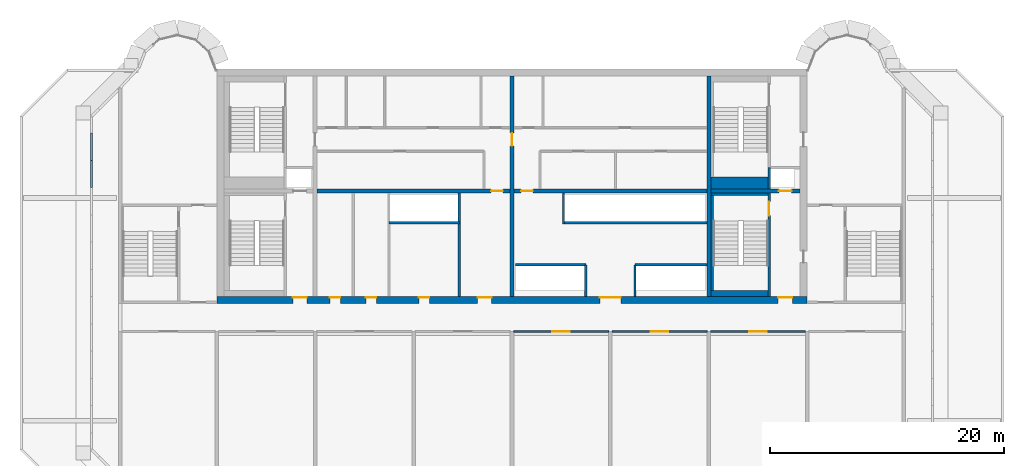
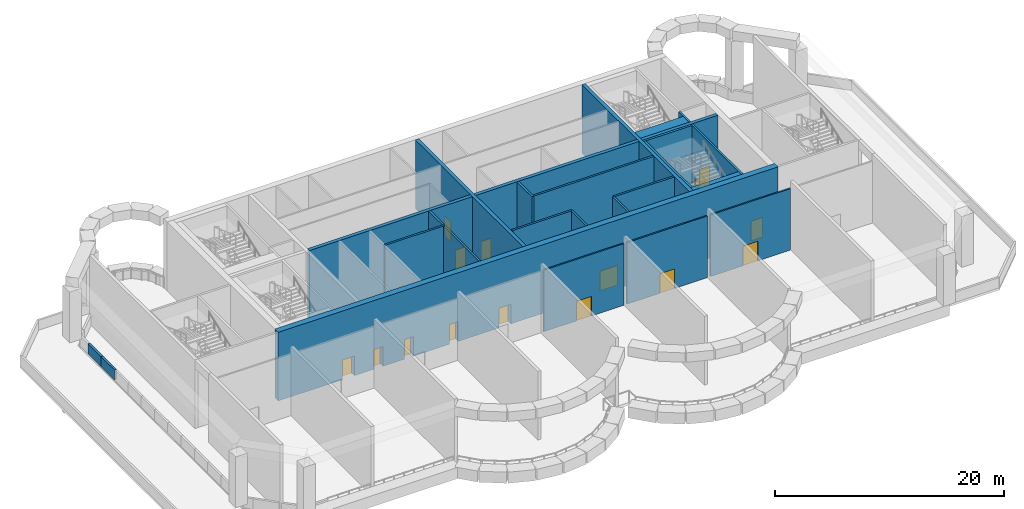
# One storey, part 3 of 11: 25 walls, 15 doors, 15 openings.
"""IFC4 building model written with IfcOpenShell, lengths in metres."""

from ifc_helpers import new_model, si_unit, direction, frame, frame_2d, origin, place, context, subcontext, project, spatial, rectangle, extrude, source, transform, mapped, material, layer, layer_set, type_object, element, fill, save


model = new_model("IFC4")

# Units and contexts
model_context = context("Model", 3, precision=1e-05, world=origin(), true_north=direction((0.0, 1.0)))
body_context = subcontext(model_context, "Body", "Model", "MODEL_VIEW")
ifc_project = project(units=[si_unit("LENGTHUNIT", "METRE"), si_unit("AREAUNIT", "SQUARE_METRE"), si_unit("VOLUMEUNIT", "CUBIC_METRE"), si_unit("PLANEANGLEUNIT", "RADIAN"), si_unit("MASSUNIT", "GRAM", prefix="KILO")], contexts=[model_context])

# Site, building, storey
site_placement = place(None, origin())
site = spatial("IfcSite", under=ifc_project, at=site_placement, CompositionType="ELEMENT")
building_placement = place(site_placement, origin())
building = spatial("IfcBuilding", under=site, at=building_placement, Name="Vanashikhar Sky Hotel", CompositionType="ELEMENT")
storey_placement = place(building_placement, frame((0.0, 0.0, 206.39990234375)))
storey = spatial("IfcBuildingStorey", under=building, at=storey_placement, Name="L50", CompositionType="ELEMENT", Elevation=206.39990234375)

# Wall, openings, doors
ifc_material_1 = material(Name="Concrete M60", Category="concrete")
ifc_layer_1 = layer(ifc_material_1, 0.60009765625)
ifc_layer_set_1 = layer_set([ifc_layer_1], Name="RC core shell wall 600 Concrete M60")
wall_type_1 = type_object("IfcWallType", Name="RC core shell wall 600 Concrete M60", PredefinedType="SHEAR", material=ifc_layer_set_1)
shared_shape_1 = source(origin(), body_context, "Body", "SweptSolid", [
    extrude(rectangle(XDim=50.400146484375, YDim=0.60009765625, at=frame_2d((25.2001953125, 0.0))), origin(), (0.0, 0.0, 1.0), 7.320068359375),
])
wall_1_placement = place(storey_placement, frame((25.199951171875, 22.300048828125, 0.0), z_axis=(0.0, 0.0, 1.0), x_axis=(1.0, 0.0, 0.0)))
wall_1 = element("IfcWall", 1, at=wall_1_placement, inside=storey, type_object=wall_type_1, Name="KW-L50-KS", PredefinedType="SHEAR", context=body_context, shape_type="MappedRepresentation", body=[
    mapped(shared_shape_1, transform((0.0, 0.0, 0.0), scale=1.0)),
])
shared_shape_2 = source(origin(), body_context, "Body", "SweptSolid", [
    extrude(rectangle(XDim=1.199951171875, YDim=2.10009765625, at=frame_2d((0.60009765625, 1.050048828125))), frame((0.0, 0.31005859375, 0.0), z_axis=(0.0, -1.0, 0.0), x_axis=(1.0, 0.0, 0.0)), (0.0, 0.0, 1.0), 0.6201171875),
])
opening_1_placement = place(wall_1_placement, frame((22.261962890625, 0.0, 0.0)))
opening_1 = element("IfcOpeningElement", 2, at=opening_1_placement, cuts=wall_1, Name="Opening DC-4-B", PredefinedType="OPENING", context=body_context, shape_type="MappedRepresentation", body=[
    mapped(shared_shape_2, transform((0.0, 0.0, 0.0), scale=1.0)),
])
shared_shape_3 = source(origin(), body_context, "Body", "SweptSolid", [
    extrude(rectangle(XDim=0.89990234375, YDim=2.10009765625, at=frame_2d((0.449951171875, 1.050048828125))), frame((0.0, 0.31005859375, 0.0), z_axis=(0.0, -1.0, 0.0), x_axis=(1.0, 0.0, 0.0)), (0.0, 0.0, 1.0), 0.6201171875),
])
opening_2_placement = place(wall_1_placement, frame((17.25, 0.0, 0.0)))
opening_2 = element("IfcOpeningElement", 3, at=opening_2_placement, cuts=wall_1, Name="Opening DC-4-A", PredefinedType="OPENING", context=body_context, shape_type="MappedRepresentation", body=[
    mapped(shared_shape_3, transform((0.0, 0.0, 0.0), scale=1.0)),
])
opening_3_placement = place(wall_1_placement, frame((9.656005859375, 0.0, 0.0)))
opening_3 = element("IfcOpeningElement", 4, at=opening_3_placement, cuts=wall_1, Name="Opening DC-4-A", PredefinedType="OPENING", context=body_context, shape_type="MappedRepresentation", body=[
    mapped(shared_shape_3, transform((0.0, 0.0, 0.0), scale=1.0)),
])
opening_4_placement = place(wall_1_placement, frame((12.718994140625, 0.0, 0.0)))
opening_4 = element("IfcOpeningElement", 5, at=opening_4_placement, cuts=wall_1, Name="Opening DC-4-A", PredefinedType="OPENING", context=body_context, shape_type="MappedRepresentation", body=[
    mapped(shared_shape_3, transform((0.0, 0.0, 0.0), scale=1.0)),
])
shared_shape_4 = source(origin(), body_context, "Body", "SweptSolid", [
    extrude(rectangle(XDim=1.800048828125, YDim=2.10009765625, at=frame_2d((0.89990234375, 1.050048828125))), frame((0.0, 0.31005859375, 0.0), z_axis=(0.0, -1.0, 0.0), x_axis=(1.0, 0.0, 0.0)), (0.0, 0.0, 1.0), 0.6201171875),
])
opening_5_placement = place(wall_1_placement, frame((32.699951171875, 0.0, 0.0)))
opening_5 = element("IfcOpeningElement", 6, at=opening_5_placement, cuts=wall_1, Name="Opening DC-3", PredefinedType="OPENING", context=body_context, shape_type="MappedRepresentation", body=[
    mapped(shared_shape_4, transform((0.0, 0.0, 0.0), scale=1.0)),
])
opening_6_placement = place(wall_1_placement, frame((6.488037109375, 0.0, 0.0)))
opening_6 = element("IfcOpeningElement", 7, at=opening_6_placement, cuts=wall_1, Name="Opening DC-2", PredefinedType="OPENING", context=body_context, shape_type="MappedRepresentation", body=[
    mapped(shared_shape_2, transform((0.0, 0.0, 0.0), scale=1.0)),
])
opening_7_placement = place(wall_1_placement, frame((47.925048828125, 0.0, 0.0)))
opening_7 = element("IfcOpeningElement", 8, at=opening_7_placement, cuts=wall_1, Name="Opening DC-2", PredefinedType="OPENING", context=body_context, shape_type="MappedRepresentation", body=[
    mapped(shared_shape_2, transform((0.0, 0.0, 0.0), scale=1.0)),
])
ifc_material_2 = material(Name="Steel", Category="steel")
door_type_1 = type_object("IfcDoorType", Name="Service door 1200 FD60", OperationType="NOTDEFINED", PredefinedType="DOOR", material=ifc_material_2)
shared_shape_5 = source(origin(), body_context, "Body", "SweptSolid", [
    extrude(rectangle(XDim=1.199951171875, YDim=2.10009765625, at=frame_2d((0.60009765625, 1.050048828125))), frame((0.0, 0.22509765625, 0.0), z_axis=(0.0, -1.0, 0.0), x_axis=(1.0, 0.0, 0.0)), (0.0, 0.0, 1.0), 0.050048828125),
])
door_1_placement = place(opening_1_placement, origin())
door_1 = element("IfcDoor", 9, at=door_1_placement, inside=storey, type_object=door_type_1, Name="Service door 1200 FD60", OperationType="SINGLE_SWING_RIGHT", OverallHeight=2.10009765625, OverallWidth=1.199951171875, PredefinedType="DOOR", context=body_context, shape_type="MappedRepresentation", body=[
    mapped(shared_shape_5, transform((0.0, 0.0, 0.0), scale=1.0)),
])
fill(opening_1, door_1)
door_type_2 = type_object("IfcDoorType", Name="Firefighting lobby door 1200 FD120", OperationType="NOTDEFINED", PredefinedType="DOOR", material=ifc_material_2)
door_2_placement = place(opening_6_placement, origin())
door_2 = element("IfcDoor", 10, at=door_2_placement, inside=storey, type_object=door_type_2, Name="Firefighting lobby door 1200 FD120", OperationType="SINGLE_SWING_LEFT", OverallHeight=2.10009765625, OverallWidth=1.199951171875, PredefinedType="DOOR", context=body_context, shape_type="MappedRepresentation", body=[
    mapped(shared_shape_5, transform((0.0, 0.0, 0.0), scale=1.0)),
])
fill(opening_6, door_2)
door_3_placement = place(opening_7_placement, origin())
door_3 = element("IfcDoor", 11, at=door_3_placement, inside=storey, type_object=door_type_2, Name="Firefighting lobby door 1200 FD120", OperationType="SINGLE_SWING_LEFT", OverallHeight=2.10009765625, OverallWidth=1.199951171875, PredefinedType="DOOR", context=body_context, shape_type="MappedRepresentation", body=[
    mapped(shared_shape_5, transform((0.0, 0.0, 0.0), scale=1.0)),
])
fill(opening_7, door_3)
door_type_3 = type_object("IfcDoorType", Name="Service door 900 FD60", OperationType="NOTDEFINED", PredefinedType="DOOR", material=ifc_material_2)
shared_shape_6 = source(origin(), body_context, "Body", "SweptSolid", [
    extrude(rectangle(XDim=0.89990234375, YDim=2.10009765625, at=frame_2d((0.449951171875, 1.050048828125))), frame((0.0, 0.22509765625, 0.0), z_axis=(0.0, -1.0, 0.0), x_axis=(1.0, 0.0, 0.0)), (0.0, 0.0, 1.0), 0.050048828125),
])
door_4_placement = place(opening_2_placement, origin())
door_4 = element("IfcDoor", 12, at=door_4_placement, inside=storey, type_object=door_type_3, Name="Service door 900 FD60", OperationType="SINGLE_SWING_RIGHT", OverallHeight=2.10009765625, OverallWidth=0.89990234375, PredefinedType="DOOR", context=body_context, shape_type="MappedRepresentation", body=[
    mapped(shared_shape_6, transform((0.0, 0.0, 0.0), scale=1.0)),
])
fill(opening_2, door_4)
door_5_placement = place(opening_3_placement, origin())
door_5 = element("IfcDoor", 13, at=door_5_placement, inside=storey, type_object=door_type_3, Name="Service door 900 FD60", OperationType="SINGLE_SWING_LEFT", OverallHeight=2.10009765625, OverallWidth=0.89990234375, PredefinedType="DOOR", context=body_context, shape_type="MappedRepresentation", body=[
    mapped(shared_shape_6, transform((0.0, 0.0, 0.0), scale=1.0)),
])
fill(opening_3, door_5)
door_6_placement = place(opening_4_placement, origin())
door_6 = element("IfcDoor", 14, at=door_6_placement, inside=storey, type_object=door_type_3, Name="Service door 900 FD60", OperationType="SINGLE_SWING_LEFT", OverallHeight=2.10009765625, OverallWidth=0.89990234375, PredefinedType="DOOR", context=body_context, shape_type="MappedRepresentation", body=[
    mapped(shared_shape_6, transform((0.0, 0.0, 0.0), scale=1.0)),
])
fill(opening_4, door_6)
ifc_material_3 = material(Name="Glass", Category="glass")
door_type_4 = type_object("IfcDoorType", Name="Lift lobby entrance door 1800 FD60", OperationType="NOTDEFINED", PredefinedType="DOOR", material=ifc_material_3)
shared_shape_7 = source(origin(), body_context, "Body", "SweptSolid", [
    extrude(rectangle(XDim=1.800048828125, YDim=2.10009765625, at=frame_2d((0.89990234375, 1.050048828125))), frame((0.0, 0.22509765625, 0.0), z_axis=(0.0, -1.0, 0.0), x_axis=(1.0, 0.0, 0.0)), (0.0, 0.0, 1.0), 0.050048828125),
])
door_7_placement = place(opening_5_placement, origin())
door_7 = element("IfcDoor", 15, at=door_7_placement, inside=storey, type_object=door_type_4, Name="Lift lobby entrance door 1800 FD60", OperationType="DOUBLE_DOOR_SINGLE_SWING", OverallHeight=2.10009765625, OverallWidth=1.800048828125, PredefinedType="DOOR", context=body_context, shape_type="MappedRepresentation", body=[
    mapped(shared_shape_7, transform((0.0, 0.0, 0.0), scale=1.0)),
])
fill(opening_5, door_7)

# Wall, opening, door
ifc_layer_2 = layer(ifc_material_1, 0.35009765625)
ifc_layer_set_2 = layer_set([ifc_layer_2], Name="RC core inner wall 350 Concrete M60")
wall_type_2 = type_object("IfcWallType", Name="RC core inner wall 350 Concrete M60", PredefinedType="SHEAR", material=ifc_layer_set_2)
shared_shape_8 = source(origin(), body_context, "Body", "SweptSolid", [
    extrude(rectangle(XDim=18.7998046875, YDim=0.35009765625, at=frame_2d((9.39990234375, 0.0))), origin(), (0.0, 0.0, 1.0), 7.320068359375),
])
wall_2_placement = place(storey_placement, frame((50.39990234375, 22.60009765625, 0.0), z_axis=(0.0, 0.0, 1.0), x_axis=(0.0, 1.0, 0.0)))
wall_2 = element("IfcWall", 16, at=wall_2_placement, inside=storey, type_object=wall_type_2, Name="KW-L50-KX2", PredefinedType="SHEAR", context=body_context, shape_type="MappedRepresentation", body=[
    mapped(shared_shape_8, transform((0.0, 0.0, 0.0), scale=1.0)),
])
shared_shape_9 = source(origin(), body_context, "Body", "SweptSolid", [
    extrude(rectangle(XDim=1.10009765625, YDim=2.10009765625, at=frame_2d((0.550048828125, 1.050048828125))), frame((0.0, 0.18505859375, 0.0), z_axis=(0.0, -1.0, 0.0), x_axis=(1.0, 0.0, 0.0)), (0.0, 0.0, 1.0), 0.3701171875),
])
opening_8_placement = place(wall_2_placement, frame((12.85009765625, 0.0, 0.0)))
opening_8 = element("IfcOpeningElement", 17, at=opening_8_placement, cuts=wall_2, Name="Opening DC-4-C", PredefinedType="OPENING", context=body_context, shape_type="MappedRepresentation", body=[
    mapped(shared_shape_9, transform((0.0, 0.0, 0.0), scale=1.0)),
])
door_type_5 = type_object("IfcDoorType", Name="Service door 1100 FD60", OperationType="NOTDEFINED", PredefinedType="DOOR", material=ifc_material_2)
shared_shape_10 = source(origin(), body_context, "Body", "SweptSolid", [
    extrude(rectangle(XDim=1.10009765625, YDim=2.10009765625, at=frame_2d((0.550048828125, 1.050048828125))), frame((0.0, 0.02490234375, 0.0), z_axis=(0.0, -1.0, 0.0), x_axis=(1.0, 0.0, 0.0)), (0.0, 0.0, 1.0), 0.050048828125),
])
door_8_placement = place(opening_8_placement, origin())
door_8 = element("IfcDoor", 18, at=door_8_placement, inside=storey, type_object=door_type_5, Name="Service door 1100 FD60", OperationType="SINGLE_SWING_RIGHT", OverallHeight=2.10009765625, OverallWidth=1.10009765625, PredefinedType="DOOR", context=body_context, shape_type="MappedRepresentation", body=[
    mapped(shared_shape_10, transform((0.0, 0.0, 0.0), scale=1.0)),
])
fill(opening_8, door_8)

# Wall
wall_3_placement = place(storey_placement, frame((67.199951171875, 22.60009765625, 0.0), z_axis=(0.0, 0.0, 1.0), x_axis=(0.0, 1.0, 0.0)))
element("IfcWall", 19, at=wall_3_placement, inside=storey, type_object=wall_type_2, Name="KW-L50-KX3", PredefinedType="SHEAR", context=body_context, shape_type="MappedRepresentation", body=[
    mapped(shared_shape_8, transform((0.0, 0.0, 0.0), scale=1.0)),
])

# Wall, opening, door
shared_shape_11 = source(origin(), body_context, "Body", "SweptSolid", [
    extrude(rectangle(XDim=7.625, YDim=0.35009765625, at=frame_2d((3.8125, 0.0))), origin(), (0.0, 0.0, 1.0), 7.320068359375),
])
wall_4_placement = place(storey_placement, frame((67.375, 31.60009765625, 0.0), z_axis=(0.0, 0.0, 1.0), x_axis=(1.0, 0.0, 0.0)))
wall_4 = element("IfcWall", 20, at=wall_4_placement, inside=storey, type_object=wall_type_2, Name="KW-L50-KY4", PredefinedType="SHEAR", context=body_context, shape_type="MappedRepresentation", body=[
    mapped(shared_shape_11, transform((0.0, 0.0, 0.0), scale=1.0)),
])
opening_9_placement = place(wall_4_placement, frame((5.800048828125, 0.0, 0.0)))
opening_9 = element("IfcOpeningElement", 21, at=opening_9_placement, cuts=wall_4, Name="Opening LD", PredefinedType="OPENING", context=body_context, shape_type="MappedRepresentation", body=[
    mapped(shared_shape_9, transform((0.0, 0.0, 0.0), scale=1.0)),
])
ifc_material_4 = material(Name="Stainless steel", Category="steel")
door_type_6 = type_object("IfcDoorType", Name="Lift landing door 1100", OperationType="NOTDEFINED", PredefinedType="DOOR", material=ifc_material_4)
door_9_placement = place(opening_9_placement, origin())
door_9 = element("IfcDoor", 22, at=door_9_placement, inside=storey, type_object=door_type_6, Name="Lift landing door 1100", OperationType="SLIDING_TO_LEFT", OverallHeight=2.10009765625, OverallWidth=1.10009765625, PredefinedType="DOOR", context=body_context, shape_type="MappedRepresentation", body=[
    mapped(shared_shape_10, transform((0.0, 0.0, 0.0), scale=1.0)),
])
fill(opening_9, door_9)

shared_shape_12 = source(origin(), body_context, "Body", "SweptSolid", [
    extrude(rectangle(XDim=16.4501953125, YDim=0.35009765625, at=frame_2d((8.22509765625, 0.0))), origin(), (0.0, 0.0, 1.0), 7.320068359375),
])
wall_5_placement = place(storey_placement, frame((33.77490234375, 31.60009765625, 0.0), z_axis=(0.0, 0.0, 1.0), x_axis=(1.0, 0.0, 0.0)))
wall_5 = element("IfcWall", 23, at=wall_5_placement, inside=storey, type_object=wall_type_2, Name="KW-L50-KY2", PredefinedType="SHEAR", context=body_context, shape_type="MappedRepresentation", body=[
    mapped(shared_shape_12, transform((0.0, 0.0, 0.0), scale=1.0)),
])
shared_shape_13 = source(origin(), body_context, "Body", "SweptSolid", [
    extrude(rectangle(XDim=1.0, YDim=2.10009765625, at=frame_2d((0.5, 1.050048828125))), frame((0.0, 0.18505859375, 0.0), z_axis=(0.0, -1.0, 0.0), x_axis=(1.0, 0.0, 0.0)), (0.0, 0.0, 1.0), 0.3701171875),
])
opening_10_placement = place(wall_5_placement, frame((14.8369140625, 0.0, 0.0)))
opening_10 = element("IfcOpeningElement", 24, at=opening_10_placement, cuts=wall_5, Name="Opening DC-4", PredefinedType="OPENING", context=body_context, shape_type="MappedRepresentation", body=[
    mapped(shared_shape_13, transform((0.0, 0.0, 0.0), scale=1.0)),
])
door_type_7 = type_object("IfcDoorType", Name="Service door 1000 FD60", OperationType="NOTDEFINED", PredefinedType="DOOR", material=ifc_material_2)
shared_shape_14 = source(origin(), body_context, "Body", "SweptSolid", [
    extrude(rectangle(XDim=1.0, YDim=2.10009765625, at=frame_2d((0.5, 1.050048828125))), frame((0.0, 0.02490234375, 0.0), z_axis=(0.0, -1.0, 0.0), x_axis=(1.0, 0.0, 0.0)), (0.0, 0.0, 1.0), 0.050048828125),
])
door_10_placement = place(opening_10_placement, origin())
door_10 = element("IfcDoor", 25, at=door_10_placement, inside=storey, type_object=door_type_7, Name="Service door 1000 FD60", OperationType="SINGLE_SWING_LEFT", OverallHeight=2.10009765625, OverallWidth=1.0, PredefinedType="DOOR", context=body_context, shape_type="MappedRepresentation", body=[
    mapped(shared_shape_14, transform((0.0, 0.0, 0.0), scale=1.0)),
])
fill(opening_10, door_10)

shared_shape_15 = source(origin(), body_context, "Body", "SweptSolid", [
    extrude(rectangle(XDim=16.449951171875, YDim=0.35009765625, at=frame_2d((8.22509765625, 0.0))), origin(), (0.0, 0.0, 1.0), 7.320068359375),
])
wall_6_placement = place(storey_placement, frame((50.574951171875, 31.60009765625, 0.0), z_axis=(0.0, 0.0, 1.0), x_axis=(1.0, 0.0, 0.0)))
wall_6 = element("IfcWall", 26, at=wall_6_placement, inside=storey, type_object=wall_type_2, Name="KW-L50-KY3", PredefinedType="SHEAR", context=body_context, shape_type="MappedRepresentation", body=[
    mapped(shared_shape_15, transform((0.0, 0.0, 0.0), scale=1.0)),
])
opening_11_placement = place(wall_6_placement, frame((0.613037109375, 0.0, 0.0)))
opening_11 = element("IfcOpeningElement", 27, at=opening_11_placement, cuts=wall_6, Name="Opening DC-4", PredefinedType="OPENING", context=body_context, shape_type="MappedRepresentation", body=[
    mapped(shared_shape_13, transform((0.0, 0.0, 0.0), scale=1.0)),
])
door_11_placement = place(opening_11_placement, origin())
door_11 = element("IfcDoor", 28, at=door_11_placement, inside=storey, type_object=door_type_7, Name="Service door 1000 FD60", OperationType="SINGLE_SWING_LEFT", OverallHeight=2.10009765625, OverallWidth=1.0, PredefinedType="DOOR", context=body_context, shape_type="MappedRepresentation", body=[
    mapped(shared_shape_14, transform((0.0, 0.0, 0.0), scale=1.0)),
])
fill(opening_11, door_11)

# Walls
ifc_material_5 = material(Name="Concrete M50", Category="concrete")
ifc_layer_3 = layer(ifc_material_5, 0.199951171875)
ifc_layer_set_3 = layer_set([ifc_layer_3], Name="Parapet 200")
wall_type_3 = type_object("IfcWallType", Name="Parapet 200", PredefinedType="PARAPET", material=ifc_layer_set_3)
shared_shape_16 = source(origin(), body_context, "Body", "SweptSolid", [
    extrude(rectangle(XDim=2.32421875, YDim=0.199951171875, at=frame_2d((1.162109375, 0.0))), origin(), (0.0, 0.0, 1.0), 1.10009765625),
])
wall_7_placement = place(storey_placement, frame((14.5, 31.885498046875, 0.0), z_axis=(0.0, 0.0, 1.0), x_axis=(0.0, 1.0, 0.0)))
element("IfcWall", 29, at=wall_7_placement, inside=storey, type_object=wall_type_3, Name="Floor edge parapet", PredefinedType="PARAPET", context=body_context, shape_type="MappedRepresentation", body=[
    mapped(shared_shape_16, transform((0.0, 0.0, 0.0), scale=1.0)),
])
shared_shape_17 = source(origin(), body_context, "Body", "SweptSolid", [
    extrude(rectangle(XDim=2.324462890625, YDim=0.199951171875, at=frame_2d((1.162109375, 0.0))), origin(), (0.0, 0.0, 1.0), 1.10009765625),
])
wall_8_placement = place(storey_placement, frame((14.5, 34.209716796875, 0.0), z_axis=(0.0, 0.0, 1.0), x_axis=(0.0, 1.0, 0.0)))
element("IfcWall", 30, at=wall_8_placement, inside=storey, type_object=wall_type_3, Name="Floor edge parapet", PredefinedType="PARAPET", context=body_context, shape_type="MappedRepresentation", body=[
    mapped(shared_shape_17, transform((0.0, 0.0, 0.0), scale=1.0)),
])
ifc_material_6 = material(Name="Concrete M40", Category="concrete")
ifc_layer_4 = layer(ifc_material_6, 0.199951171875)
ifc_layer_set_4 = layer_set([ifc_layer_4], Name="Shaft wall 200")
wall_type_4 = type_object("IfcWallType", Name="Shaft wall 200", PredefinedType="SOLIDWALL", material=ifc_layer_set_4)
shared_shape_18 = source(origin(), body_context, "Body", "SweptSolid", [
    extrude(rectangle(XDim=6.0, YDim=0.199951171875, at=frame_2d((3.0, 0.0))), origin(), (0.0, 0.0, 1.0), 7.320068359375),
])
for number, where, z_axis, x_axis, name in (
    (31, (39.89990234375, 28.89990234375, 0.0), (0.0, 0.0, 1.0), (1.0, 0.0, 0.0), "Shaft wall 200"),
    (32, (56.699951171875, 25.300048828125, 0.0), (0.0, 0.0, 1.0), (-1.0, 0.0, 0.0), "Shaft wall 200"),
):
    element("IfcWall", number, at=place(storey_placement, frame(where, z_axis=z_axis, x_axis=x_axis)), inside=storey, type_object=wall_type_4, Name=name, PredefinedType="SOLIDWALL", context=body_context, shape_type="MappedRepresentation", body=[
        mapped(shared_shape_18, transform((0.0, 0.0, 0.0), scale=1.0)),
    ])
ifc_material_7 = material(Name="Gypsum board partition")
ifc_layer_5 = layer(ifc_material_7, 0.14990234375)
ifc_layer_set_5 = layer_set([ifc_layer_5], Name="Service partition 150")
wall_type_5 = type_object("IfcWallType", Name="Service partition 150", PredefinedType="PARTITIONING", material=ifc_layer_set_5)
shared_shape_19 = source(origin(), body_context, "Body", "SweptSolid", [
    extrude(rectangle(XDim=8.824951171875, YDim=0.199951171875, at=frame_2d((4.41259765625, 0.0))), origin(), (0.0, 0.0, 1.0), 7.320068359375),
])
wall_9_placement = place(storey_placement, frame((45.89990234375, 22.60009765625, 0.0), z_axis=(0.0, 0.0, 1.0), x_axis=(0.0, 1.0, 0.0)))
element("IfcWall", 33, at=wall_9_placement, inside=storey, type_object=wall_type_5, Name="Service partition 150", PredefinedType="PARTITIONING", context=body_context, shape_type="MappedRepresentation", body=[
    mapped(shared_shape_19, transform((0.0, 0.0, 0.0), scale=1.0)),
])
shared_shape_20 = source(origin(), body_context, "Body", "SweptSolid", [
    extrude(rectangle(XDim=6.125, YDim=0.199951171875, at=frame_2d((3.0625, 0.0))), origin(), (0.0, 0.0, 1.0), 7.320068359375),
])
wall_10_placement = place(storey_placement, frame((67.02490234375, 25.300048828125, 0.0), z_axis=(0.0, 0.0, 1.0), x_axis=(-1.0, 0.0, 0.0)))
element("IfcWall", 34, at=wall_10_placement, inside=storey, type_object=wall_type_4, Name="Shaft wall 200", PredefinedType="SOLIDWALL", context=body_context, shape_type="MappedRepresentation", body=[
    mapped(shared_shape_20, transform((0.0, 0.0, 0.0), scale=1.0)),
])
shared_shape_21 = source(origin(), body_context, "Body", "SweptSolid", [
    extrude(rectangle(XDim=12.125, YDim=0.199951171875, at=frame_2d((6.0625, 0.0))), origin(), (0.0, 0.0, 1.0), 7.320068359375),
])
wall_11_placement = place(storey_placement, frame((67.02490234375, 28.89990234375, 0.0), z_axis=(0.0, 0.0, 1.0), x_axis=(-1.0, 0.0, 0.0)))
element("IfcWall", 35, at=wall_11_placement, inside=storey, type_object=wall_type_4, Name="Shaft wall 200", PredefinedType="SOLIDWALL", context=body_context, shape_type="MappedRepresentation", body=[
    mapped(shared_shape_21, transform((0.0, 0.0, 0.0), scale=1.0)),
])
shared_shape_22 = source(origin(), body_context, "Body", "SweptSolid", [
    extrude(rectangle(XDim=2.699951171875, YDim=0.199951171875, at=frame_2d((1.35009765625, 0.0))), origin(), (0.0, 0.0, 1.0), 7.320068359375),
])
for number, where, z_axis, x_axis, name in (
    (36, (60.89990234375, 22.60009765625, 0.0), (0.0, 0.0, 1.0), (0.0, 1.0, 0.0), "Shaft wall 200"),
    (37, (56.699951171875, 22.60009765625, 0.0), (0.0, 0.0, 1.0), (0.0, 1.0, 0.0), "Shaft wall 200"),
):
    element("IfcWall", number, at=place(storey_placement, frame(where, z_axis=z_axis, x_axis=x_axis)), inside=storey, type_object=wall_type_4, Name=name, PredefinedType="SOLIDWALL", context=body_context, shape_type="MappedRepresentation", body=[
        mapped(shared_shape_22, transform((0.0, 0.0, 0.0), scale=1.0)),
    ])
shared_shape_23 = source(origin(), body_context, "Body", "SweptSolid", [
    extrude(rectangle(XDim=2.625, YDim=0.199951171875, at=frame_2d((1.3125, 0.0))), origin(), (0.0, 0.0, 1.0), 7.320068359375),
])
wall_12_placement = place(storey_placement, frame((54.800048828125, 28.800048828125, 0.0), z_axis=(0.0, 0.0, 1.0), x_axis=(0.0, 1.0, 0.0)))
element("IfcWall", 38, at=wall_12_placement, inside=storey, type_object=wall_type_4, Name="Shaft wall 200", PredefinedType="SOLIDWALL", context=body_context, shape_type="MappedRepresentation", body=[
    mapped(shared_shape_23, transform((0.0, 0.0, 0.0), scale=1.0)),
])

# Wall, opening, door
ifc_layer_6 = layer(ifc_material_5, 0.199951171875)
ifc_layer_set_6 = layer_set([ifc_layer_6], Name="Stair wall 200")
wall_type_6 = type_object("IfcWallType", Name="Stair wall 200", PredefinedType="SOLIDWALL", material=ifc_layer_set_6)
shared_shape_24 = source(origin(), body_context, "Body", "SweptSolid", [
    extrude(rectangle(XDim=8.824951171875, YDim=0.199951171875, at=frame_2d((4.41259765625, 0.0))), origin(), (0.0, 0.0, 1.0), 7.320068359375),
])
wall_13_placement = place(storey_placement, frame((72.35009765625, 22.60009765625, 0.0), z_axis=(0.0, 0.0, 1.0), x_axis=(0.0, 1.0, 0.0)))
wall_13 = element("IfcWall", 39, at=wall_13_placement, inside=storey, type_object=wall_type_6, Name="Stair wall 200", PredefinedType="SOLIDWALL", context=body_context, shape_type="MappedRepresentation", body=[
    mapped(shared_shape_24, transform((0.0, 0.0, 0.0), scale=1.0)),
])
shared_shape_25 = source(origin(), body_context, "Body", "SweptSolid", [
    extrude(rectangle(XDim=1.199951171875, YDim=2.10009765625, at=frame_2d((0.60009765625, 1.050048828125))), frame((0.0, 0.10986328125, 0.0), z_axis=(0.0, -1.0, 0.0), x_axis=(1.0, 0.0, 0.0)), (0.0, 0.0, 1.0), 0.219970703125),
])
opening_12_placement = place(wall_13_placement, frame((6.89990234375, 0.0, 0.0)))
opening_12 = element("IfcOpeningElement", 40, at=opening_12_placement, cuts=wall_13, Name="Opening DC-1", PredefinedType="OPENING", context=body_context, shape_type="MappedRepresentation", body=[
    mapped(shared_shape_25, transform((0.0, 0.0, 0.0), scale=1.0)),
])
door_type_8 = type_object("IfcDoorType", Name="Stair door 1200 FD120", OperationType="NOTDEFINED", PredefinedType="DOOR", material=ifc_material_2)
shared_shape_26 = source(origin(), body_context, "Body", "SweptSolid", [
    extrude(rectangle(XDim=1.199951171875, YDim=2.10009765625, at=frame_2d((0.60009765625, 1.050048828125))), frame((0.0, 0.02490234375, 0.0), z_axis=(0.0, -1.0, 0.0), x_axis=(1.0, 0.0, 0.0)), (0.0, 0.0, 1.0), 0.050048828125),
])
door_12_placement = place(opening_12_placement, origin())
door_12 = element("IfcDoor", 41, at=door_12_placement, inside=storey, type_object=door_type_8, Name="Stair door 1200 FD120", OperationType="SINGLE_SWING_RIGHT", OverallHeight=2.10009765625, OverallWidth=1.199951171875, PredefinedType="DOOR", context=body_context, shape_type="MappedRepresentation", body=[
    mapped(shared_shape_26, transform((0.0, 0.0, 0.0), scale=1.0)),
])
fill(opening_12, door_12)

# Walls
shared_shape_27 = source(origin(), body_context, "Body", "SweptSolid", [
    extrude(rectangle(XDim=1.8251953125, YDim=0.199951171875, at=frame_2d((0.91259765625, 0.0))), origin(), (0.0, 0.0, 1.0), 7.320068359375),
])
wall_14_placement = place(storey_placement, frame((72.35009765625, 31.77490234375, 0.0), z_axis=(0.0, 0.0, 1.0), x_axis=(0.0, 1.0, 0.0)))
element("IfcWall", 42, at=wall_14_placement, inside=storey, type_object=wall_type_4, Name="Shaft wall 200", PredefinedType="SOLIDWALL", context=body_context, shape_type="MappedRepresentation", body=[
    mapped(shared_shape_27, transform((0.0, 0.0, 0.0), scale=1.0)),
])
ifc_layer_7 = layer(ifc_material_5, 0.5)
ifc_layer_set_7 = layer_set([ifc_layer_7], Name="Stair infill wall 500")
wall_type_7 = type_object("IfcWallType", Name="Stair infill wall 500", PredefinedType="SOLIDWALL", material=ifc_layer_set_7)
shared_shape_28 = source(origin(), body_context, "Body", "SweptSolid", [
    extrude(rectangle(XDim=4.875, YDim=0.5, at=frame_2d((2.4375, 0.0))), origin(), (0.0, 0.0, 1.0), 7.320068359375),
])
wall_15_placement = place(storey_placement, frame((67.375, 22.85009765625, 0.0), z_axis=(0.0, 0.0, 1.0), x_axis=(1.0, 0.0, 0.0)))
element("IfcWall", 43, at=wall_15_placement, inside=storey, type_object=wall_type_7, Name="Stair infill wall 500", PredefinedType="SOLIDWALL", context=body_context, shape_type="MappedRepresentation", body=[
    mapped(shared_shape_28, transform((0.0, 0.0, 0.0), scale=1.0)),
])
ifc_layer_8 = layer(ifc_material_5, 0.22509765625)
ifc_layer_set_8 = layer_set([ifc_layer_8], Name="Stair infill wall 225")
wall_type_8 = type_object("IfcWallType", Name="Stair infill wall 225", PredefinedType="SOLIDWALL", material=ifc_layer_set_8)
shared_shape_29 = source(origin(), body_context, "Body", "SweptSolid", [
    extrude(rectangle(XDim=4.875, YDim=0.22509765625, at=frame_2d((2.4375, 0.0))), origin(), (0.0, 0.0, 1.0), 7.320068359375),
])
wall_16_placement = place(storey_placement, frame((67.375, 31.31201171875, 0.0), z_axis=(0.0, 0.0, 1.0), x_axis=(1.0, 0.0, 0.0)))
element("IfcWall", 44, at=wall_16_placement, inside=storey, type_object=wall_type_8, Name="Stair infill wall 225", PredefinedType="SOLIDWALL", context=body_context, shape_type="MappedRepresentation", body=[
    mapped(shared_shape_29, transform((0.0, 0.0, 0.0), scale=1.0)),
])
shared_shape_30 = source(origin(), body_context, "Body", "SweptSolid", [
    extrude(rectangle(XDim=8.099853515625, YDim=0.22509765625, at=frame_2d((4.0498046875, 0.0))), origin(), (0.0, 0.0, 1.0), 7.320068359375),
])
wall_17_placement = place(storey_placement, frame((67.487060546875, 23.10009765625, 0.0), z_axis=(0.0, 0.0, 1.0), x_axis=(0.0, 1.0, 0.0)))
element("IfcWall", 45, at=wall_17_placement, inside=storey, type_object=wall_type_8, Name="Stair infill wall 225", PredefinedType="SOLIDWALL", context=body_context, shape_type="MappedRepresentation", body=[
    mapped(shared_shape_30, transform((0.0, 0.0, 0.0), scale=1.0)),
])
ifc_layer_9 = layer(ifc_material_5, 1.02490234375)
ifc_layer_set_9 = layer_set([ifc_layer_9], Name="Stair infill wall 1025")
wall_type_9 = type_object("IfcWallType", Name="Stair infill wall 1025", PredefinedType="SOLIDWALL", material=ifc_layer_set_9)
shared_shape_31 = source(origin(), body_context, "Body", "SweptSolid", [
    extrude(rectangle(XDim=4.875, YDim=1.02490234375, at=frame_2d((2.4375, 0.0))), origin(), (0.0, 0.0, 1.0), 7.320068359375),
])
wall_18_placement = place(storey_placement, frame((67.375, 32.287109375, 0.0), z_axis=(0.0, 0.0, 1.0), x_axis=(1.0, 0.0, 0.0)))
element("IfcWall", 46, at=wall_18_placement, inside=storey, type_object=wall_type_9, Name="Stair infill wall 1025", PredefinedType="SOLIDWALL", context=body_context, shape_type="MappedRepresentation", body=[
    mapped(shared_shape_31, transform((0.0, 0.0, 0.0), scale=1.0)),
])

# Wall, opening, door
shared_shape_32 = source(origin(), body_context, "Body", "SweptSolid", [
    extrude(rectangle(XDim=8.099853515625, YDim=0.14990234375, at=frame_2d((4.0498046875, 0.0))), origin(), (0.0, 0.0, 1.0), 6.570068359375),
])
wall_19_placement = place(storey_placement, frame((50.550048828125, 19.60009765625, 0.0), z_axis=(0.0, 0.0, 1.0), x_axis=(1.0, 0.0, 0.0)))
wall_19 = element("IfcWall", 47, at=wall_19_placement, inside=storey, type_object=wall_type_5, Name="Service partition 150", PredefinedType="PARTITIONING", context=body_context, shape_type="MappedRepresentation", body=[
    mapped(shared_shape_32, transform((0.0, 0.0, 0.0), scale=1.0)),
])
shared_shape_33 = source(origin(), body_context, "Body", "SweptSolid", [
    extrude(rectangle(XDim=1.5, YDim=2.10009765625, at=frame_2d((0.75, 1.050048828125))), frame((0.0, 0.0849609375, 0.0), z_axis=(0.0, -1.0, 0.0), x_axis=(1.0, 0.0, 0.0)), (0.0, 0.0, 1.0), 0.169921875),
])
opening_13_placement = place(wall_19_placement, frame((3.300048828125, 0.0, 0.0)))
opening_13 = element("IfcOpeningElement", 48, at=opening_13_placement, cuts=wall_19, Name="Opening DC-4-E", PredefinedType="OPENING", context=body_context, shape_type="MappedRepresentation", body=[
    mapped(shared_shape_33, transform((0.0, 0.0, 0.0), scale=1.0)),
])
door_type_9 = type_object("IfcDoorType", Name="Service door 1500 FD60", OperationType="NOTDEFINED", PredefinedType="DOOR", material=ifc_material_2)
shared_shape_34 = source(origin(), body_context, "Body", "SweptSolid", [
    extrude(rectangle(XDim=1.5, YDim=2.10009765625, at=frame_2d((0.75, 1.050048828125))), frame((0.0, 0.02490234375, 0.0), z_axis=(0.0, -1.0, 0.0), x_axis=(1.0, 0.0, 0.0)), (0.0, 0.0, 1.0), 0.050048828125),
])
door_13_placement = place(opening_13_placement, origin())
door_13 = element("IfcDoor", 49, at=door_13_placement, inside=storey, type_object=door_type_9, Name="Service door 1500 FD60", OperationType="SINGLE_SWING_LEFT", OverallHeight=2.10009765625, OverallWidth=1.5, PredefinedType="DOOR", context=body_context, shape_type="MappedRepresentation", body=[
    mapped(shared_shape_34, transform((0.0, 0.0, 0.0), scale=1.0)),
])
fill(opening_13, door_13)

wall_20_placement = place(storey_placement, frame((67.35009765625, 19.60009765625, 0.0), z_axis=(0.0, 0.0, 1.0), x_axis=(1.0, 0.0, 0.0)))
wall_20 = element("IfcWall", 50, at=wall_20_placement, inside=storey, type_object=wall_type_5, Name="Service partition 150", PredefinedType="PARTITIONING", context=body_context, shape_type="MappedRepresentation", body=[
    mapped(shared_shape_32, transform((0.0, 0.0, 0.0), scale=1.0)),
])
opening_14_placement = place(wall_20_placement, frame((3.300048828125, 0.0, 0.0)))
opening_14 = element("IfcOpeningElement", 51, at=opening_14_placement, cuts=wall_20, Name="Opening DC-4-E", PredefinedType="OPENING", context=body_context, shape_type="MappedRepresentation", body=[
    mapped(shared_shape_33, transform((0.0, 0.0, 0.0), scale=1.0)),
])
door_14_placement = place(opening_14_placement, origin())
door_14 = element("IfcDoor", 52, at=door_14_placement, inside=storey, type_object=door_type_9, Name="Service door 1500 FD60", OperationType="SINGLE_SWING_LEFT", OverallHeight=2.10009765625, OverallWidth=1.5, PredefinedType="DOOR", context=body_context, shape_type="MappedRepresentation", body=[
    mapped(shared_shape_34, transform((0.0, 0.0, 0.0), scale=1.0)),
])
fill(opening_14, door_14)

shared_shape_35 = source(origin(), body_context, "Body", "SweptSolid", [
    extrude(rectangle(XDim=8.10009765625, YDim=0.14990234375, at=frame_2d((4.050048828125, 0.0))), origin(), (0.0, 0.0, 1.0), 6.570068359375),
])
wall_21_placement = place(storey_placement, frame((58.949951171875, 19.60009765625, 0.0), z_axis=(0.0, 0.0, 1.0), x_axis=(1.0, 0.0, 0.0)))
wall_21 = element("IfcWall", 53, at=wall_21_placement, inside=storey, type_object=wall_type_5, Name="Service partition 150", PredefinedType="PARTITIONING", context=body_context, shape_type="MappedRepresentation", body=[
    mapped(shared_shape_35, transform((0.0, 0.0, 0.0), scale=1.0)),
])
opening_15_placement = place(wall_21_placement, frame((3.300048828125, 0.0, 0.0)))
opening_15 = element("IfcOpeningElement", 54, at=opening_15_placement, cuts=wall_21, Name="Opening DC-4-E", PredefinedType="OPENING", context=body_context, shape_type="MappedRepresentation", body=[
    mapped(shared_shape_33, transform((0.0, 0.0, 0.0), scale=1.0)),
])
door_15_placement = place(opening_15_placement, origin())
door_15 = element("IfcDoor", 55, at=door_15_placement, inside=storey, type_object=door_type_9, Name="Service door 1500 FD60", OperationType="SINGLE_SWING_RIGHT", OverallHeight=2.10009765625, OverallWidth=1.5, PredefinedType="DOOR", context=body_context, shape_type="MappedRepresentation", body=[
    mapped(shared_shape_34, transform((0.0, 0.0, 0.0), scale=1.0)),
])
fill(opening_15, door_15)

save(model, "model.ifc")
